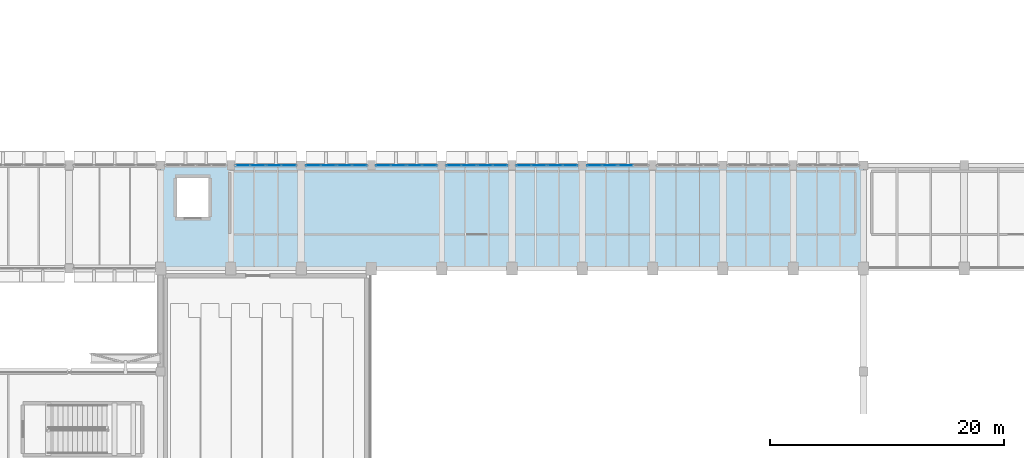
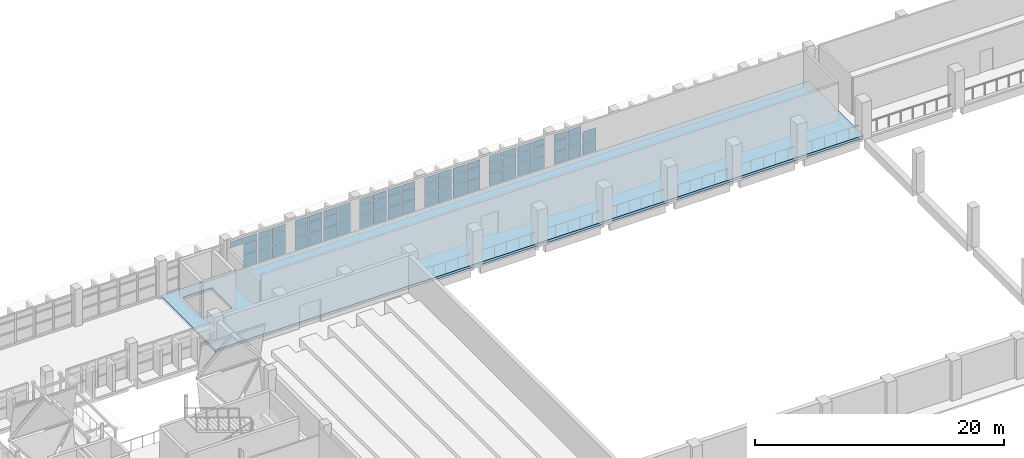
# One storey, part 53 of 80: 66 plates, 1 slab, 12 elements without a shape of their own.
"""IFC4 building model written with IfcOpenShell, lengths in metres."""

from ifc_helpers import new_model, si_unit, direction, frame, origin, origin_2d, place, context, subcontext, project, spatial, polyline, rectangle, outline, extrude, material, layer, layer_set, type_object, element, aggregate, save


model = new_model("IFC4")

# Units and contexts
model_context = context("Model", 3, precision=1e-05, world=origin(), true_north=direction((0.0, 1.0)))
body_context = subcontext(model_context, "Body", "Model", "MODEL_VIEW")
ifc_project = project(units=[si_unit("LENGTHUNIT", "METRE"), si_unit("AREAUNIT", "SQUARE_METRE"), si_unit("VOLUMEUNIT", "CUBIC_METRE"), si_unit("PLANEANGLEUNIT", "RADIAN"), si_unit("MASSUNIT", "GRAM", prefix="KILO")], contexts=[model_context])

# Site, building, storey
site_placement = place(None, origin())
site = spatial("IfcSite", under=ifc_project, at=site_placement, CompositionType="ELEMENT")
building_placement = place(site_placement, origin())
building = spatial("IfcBuilding", under=site, at=building_placement, Name="Varnakota Cinema and Media Centre", CompositionType="ELEMENT")
storey_placement = place(building_placement, frame((0.0, 0.0, 4.5)))
storey = spatial("IfcBuildingStorey", under=building, at=storey_placement, Name="L01", CompositionType="ELEMENT", Elevation=4.5)

# Curtain wall, plates
ifc_material_1 = material(Name="Thermally broken anodised aluminium AW-6063", Category="aluminium")
curtain_wall_type = type_object("IfcCurtainWallType", Name="CW-STD-262x304", PredefinedType="USERDEFINED", material=ifc_material_1)
curtain_wall_1_placement = place(storey_placement, origin())
curtain_wall_1 = element("IfcCurtainWall", 1, at=curtain_wall_1_placement, inside=storey, type_object=curtain_wall_type, Name="L01 curtain wall CW-L01-V1-N-02-1", ObjectType="UNITISED CURTAIN WALL", PredefinedType="USERDEFINED")
ifc_material_2 = material(Name="Laminated solar-control double glazing", Category="glass")
ifc_layer_1 = layer(ifc_material_2, 0.028076171875)
ifc_layer_set_1 = layer_set([ifc_layer_1], Name="Laminated solar-control double glazing")
plate_type = type_object("IfcPlateType", Name="CWP-DGU-28", PredefinedType="CURTAIN_PANEL", material=ifc_layer_set_1)
plate_1_placement = place(storey_placement, frame((82.0205078125, 44.0, 2.399658203125), z_axis=(0.0, 0.0, 1.0), x_axis=(1.0, 0.0, 0.0)))
plate_1 = element("IfcPlate", 2, at=plate_1_placement, type_object=plate_type, Name="CW17 panel 1.3", PredefinedType="CURTAIN_PANEL", context=body_context, shape_type="SweptSolid", body=[
    extrude(rectangle(XDim=1.211181640625, YDim=0.028076171875, at=origin_2d()), origin(), (0.0, 0.0, 1.0), 0.5703125),
])
plate_2_placement = place(storey_placement, frame((83.296875, 44.0, 0.06494140625), z_axis=(0.0, 0.0, 1.0), x_axis=(1.0, 0.0, 0.0)))
plate_2 = element("IfcPlate", 3, at=plate_2_placement, type_object=plate_type, Name="CW17 panel 2.1", PredefinedType="CURTAIN_PANEL", context=body_context, shape_type="SweptSolid", body=[
    extrude(rectangle(XDim=1.211181640625, YDim=0.028076171875, at=origin_2d()), origin(), (0.0, 0.0, 1.0), 1.17724609375),
])
plate_3_placement = place(storey_placement, frame((83.296875, 44.0, 1.30712890625), z_axis=(0.0, 0.0, 1.0), x_axis=(1.0, 0.0, 0.0)))
plate_3 = element("IfcPlate", 4, at=plate_3_placement, type_object=plate_type, Name="CW17 panel 2.2", PredefinedType="CURTAIN_PANEL", context=body_context, shape_type="SweptSolid", body=[
    extrude(rectangle(XDim=1.211181640625, YDim=0.028076171875, at=origin_2d()), origin(), (0.0, 0.0, 1.0), 1.027587890625),
])
plate_4_placement = place(storey_placement, frame((83.296875, 44.0, 2.399658203125), z_axis=(0.0, 0.0, 1.0), x_axis=(1.0, 0.0, 0.0)))
plate_4 = element("IfcPlate", 5, at=plate_4_placement, type_object=plate_type, Name="CW17 panel 2.3", PredefinedType="CURTAIN_PANEL", context=body_context, shape_type="SweptSolid", body=[
    extrude(rectangle(XDim=1.211181640625, YDim=0.028076171875, at=origin_2d()), origin(), (0.0, 0.0, 1.0), 0.5703125),
])
aggregate(curtain_wall_1, [plate_1, plate_2, plate_3, plate_4])

curtain_wall_2_placement = place(storey_placement, origin())
curtain_wall_2 = element("IfcCurtainWall", 6, at=curtain_wall_2_placement, inside=storey, type_object=curtain_wall_type, Name="L01 curtain wall CW-L01-V1-N-02-2", ObjectType="UNITISED CURTAIN WALL", PredefinedType="USERDEFINED")
plate_5_placement = place(storey_placement, frame((84.67822265625, 44.0, 0.06494140625), z_axis=(0.0, 0.0, 1.0), x_axis=(1.0, 0.0, 0.0)))
plate_5 = element("IfcPlate", 7, at=plate_5_placement, type_object=plate_type, Name="CW17 panel 1.1", PredefinedType="CURTAIN_PANEL", context=body_context, shape_type="SweptSolid", body=[
    extrude(rectangle(XDim=1.211181640625, YDim=0.028076171875, at=origin_2d()), origin(), (0.0, 0.0, 1.0), 1.17724609375),
])
plate_6_placement = place(storey_placement, frame((84.67822265625, 44.0, 1.30712890625), z_axis=(0.0, 0.0, 1.0), x_axis=(1.0, 0.0, 0.0)))
plate_6 = element("IfcPlate", 8, at=plate_6_placement, type_object=plate_type, Name="CW17 panel 1.2", PredefinedType="CURTAIN_PANEL", context=body_context, shape_type="SweptSolid", body=[
    extrude(rectangle(XDim=1.211181640625, YDim=0.028076171875, at=origin_2d()), origin(), (0.0, 0.0, 1.0), 1.027587890625),
])
plate_7_placement = place(storey_placement, frame((84.67822265625, 44.0, 2.399658203125), z_axis=(0.0, 0.0, 1.0), x_axis=(1.0, 0.0, 0.0)))
plate_7 = element("IfcPlate", 9, at=plate_7_placement, type_object=plate_type, Name="CW17 panel 1.3", PredefinedType="CURTAIN_PANEL", context=body_context, shape_type="SweptSolid", body=[
    extrude(rectangle(XDim=1.211181640625, YDim=0.028076171875, at=origin_2d()), origin(), (0.0, 0.0, 1.0), 0.5703125),
])
plate_8_placement = place(storey_placement, frame((85.954345703125, 44.0, 0.06494140625), z_axis=(0.0, 0.0, 1.0), x_axis=(1.0, 0.0, 0.0)))
plate_8 = element("IfcPlate", 10, at=plate_8_placement, type_object=plate_type, Name="CW17 panel 2.1", PredefinedType="CURTAIN_PANEL", context=body_context, shape_type="SweptSolid", body=[
    extrude(rectangle(XDim=1.211181640625, YDim=0.028076171875, at=origin_2d()), origin(), (0.0, 0.0, 1.0), 1.17724609375),
])
plate_9_placement = place(storey_placement, frame((85.954345703125, 44.0, 1.30712890625), z_axis=(0.0, 0.0, 1.0), x_axis=(1.0, 0.0, 0.0)))
plate_9 = element("IfcPlate", 11, at=plate_9_placement, type_object=plate_type, Name="CW17 panel 2.2", PredefinedType="CURTAIN_PANEL", context=body_context, shape_type="SweptSolid", body=[
    extrude(rectangle(XDim=1.211181640625, YDim=0.028076171875, at=origin_2d()), origin(), (0.0, 0.0, 1.0), 1.027587890625),
])
plate_10_placement = place(storey_placement, frame((85.954345703125, 44.0, 2.399658203125), z_axis=(0.0, 0.0, 1.0), x_axis=(1.0, 0.0, 0.0)))
plate_10 = element("IfcPlate", 12, at=plate_10_placement, type_object=plate_type, Name="CW17 panel 2.3", PredefinedType="CURTAIN_PANEL", context=body_context, shape_type="SweptSolid", body=[
    extrude(rectangle(XDim=1.211181640625, YDim=0.028076171875, at=origin_2d()), origin(), (0.0, 0.0, 1.0), 0.5703125),
])
aggregate(curtain_wall_2, [plate_5, plate_6, plate_7, plate_8, plate_9, plate_10])

curtain_wall_3_placement = place(storey_placement, origin())
curtain_wall_3 = element("IfcCurtainWall", 13, at=curtain_wall_3_placement, inside=storey, type_object=curtain_wall_type, Name="L01 curtain wall CW-L01-V1-N-03-1", ObjectType="UNITISED CURTAIN WALL", PredefinedType="USERDEFINED")
plate_11_placement = place(storey_placement, frame((88.045654296875, 44.0, 0.06494140625), z_axis=(0.0, 0.0, 1.0), x_axis=(1.0, 0.0, 0.0)))
plate_11 = element("IfcPlate", 14, at=plate_11_placement, type_object=plate_type, Name="CW17 panel 1.1", PredefinedType="CURTAIN_PANEL", context=body_context, shape_type="SweptSolid", body=[
    extrude(rectangle(XDim=1.211181640625, YDim=0.028076171875, at=origin_2d()), origin(), (0.0, 0.0, 1.0), 1.17724609375),
])
plate_12_placement = place(storey_placement, frame((88.045654296875, 44.0, 1.30712890625), z_axis=(0.0, 0.0, 1.0), x_axis=(1.0, 0.0, 0.0)))
plate_12 = element("IfcPlate", 15, at=plate_12_placement, type_object=plate_type, Name="CW17 panel 1.2", PredefinedType="CURTAIN_PANEL", context=body_context, shape_type="SweptSolid", body=[
    extrude(rectangle(XDim=1.211181640625, YDim=0.028076171875, at=origin_2d()), origin(), (0.0, 0.0, 1.0), 1.027587890625),
])
plate_13_placement = place(storey_placement, frame((88.045654296875, 44.0, 2.399658203125), z_axis=(0.0, 0.0, 1.0), x_axis=(1.0, 0.0, 0.0)))
plate_13 = element("IfcPlate", 16, at=plate_13_placement, type_object=plate_type, Name="CW17 panel 1.3", PredefinedType="CURTAIN_PANEL", context=body_context, shape_type="SweptSolid", body=[
    extrude(rectangle(XDim=1.211181640625, YDim=0.028076171875, at=origin_2d()), origin(), (0.0, 0.0, 1.0), 0.5703125),
])
plate_14_placement = place(storey_placement, frame((89.32177734375, 44.0, 0.06494140625), z_axis=(0.0, 0.0, 1.0), x_axis=(1.0, 0.0, 0.0)))
plate_14 = element("IfcPlate", 17, at=plate_14_placement, type_object=plate_type, Name="CW17 panel 2.1", PredefinedType="CURTAIN_PANEL", context=body_context, shape_type="SweptSolid", body=[
    extrude(rectangle(XDim=1.211181640625, YDim=0.028076171875, at=origin_2d()), origin(), (0.0, 0.0, 1.0), 1.17724609375),
])
plate_15_placement = place(storey_placement, frame((89.32177734375, 44.0, 1.30712890625), z_axis=(0.0, 0.0, 1.0), x_axis=(1.0, 0.0, 0.0)))
plate_15 = element("IfcPlate", 18, at=plate_15_placement, type_object=plate_type, Name="CW17 panel 2.2", PredefinedType="CURTAIN_PANEL", context=body_context, shape_type="SweptSolid", body=[
    extrude(rectangle(XDim=1.211181640625, YDim=0.028076171875, at=origin_2d()), origin(), (0.0, 0.0, 1.0), 1.027587890625),
])
plate_16_placement = place(storey_placement, frame((89.32177734375, 44.0, 2.399658203125), z_axis=(0.0, 0.0, 1.0), x_axis=(1.0, 0.0, 0.0)))
plate_16 = element("IfcPlate", 19, at=plate_16_placement, type_object=plate_type, Name="CW17 panel 2.3", PredefinedType="CURTAIN_PANEL", context=body_context, shape_type="SweptSolid", body=[
    extrude(rectangle(XDim=1.211181640625, YDim=0.028076171875, at=origin_2d()), origin(), (0.0, 0.0, 1.0), 0.5703125),
])
aggregate(curtain_wall_3, [plate_11, plate_12, plate_13, plate_14, plate_15, plate_16])

curtain_wall_4_placement = place(storey_placement, origin())
curtain_wall_4 = element("IfcCurtainWall", 20, at=curtain_wall_4_placement, inside=storey, type_object=curtain_wall_type, Name="L01 curtain wall CW-L01-V1-N-03-2", ObjectType="UNITISED CURTAIN WALL", PredefinedType="USERDEFINED")
plate_17_placement = place(storey_placement, frame((90.703125, 44.0, 0.06494140625), z_axis=(0.0, 0.0, 1.0), x_axis=(1.0, 0.0, 0.0)))
plate_17 = element("IfcPlate", 21, at=plate_17_placement, type_object=plate_type, Name="CW17 panel 1.1", PredefinedType="CURTAIN_PANEL", context=body_context, shape_type="SweptSolid", body=[
    extrude(rectangle(XDim=1.211181640625, YDim=0.028076171875, at=origin_2d()), origin(), (0.0, 0.0, 1.0), 1.17724609375),
])
plate_18_placement = place(storey_placement, frame((90.703125, 44.0, 1.30712890625), z_axis=(0.0, 0.0, 1.0), x_axis=(1.0, 0.0, 0.0)))
plate_18 = element("IfcPlate", 22, at=plate_18_placement, type_object=plate_type, Name="CW17 panel 1.2", PredefinedType="CURTAIN_PANEL", context=body_context, shape_type="SweptSolid", body=[
    extrude(rectangle(XDim=1.211181640625, YDim=0.028076171875, at=origin_2d()), origin(), (0.0, 0.0, 1.0), 1.027587890625),
])
plate_19_placement = place(storey_placement, frame((90.703125, 44.0, 2.399658203125), z_axis=(0.0, 0.0, 1.0), x_axis=(1.0, 0.0, 0.0)))
plate_19 = element("IfcPlate", 23, at=plate_19_placement, type_object=plate_type, Name="CW17 panel 1.3", PredefinedType="CURTAIN_PANEL", context=body_context, shape_type="SweptSolid", body=[
    extrude(rectangle(XDim=1.211181640625, YDim=0.028076171875, at=origin_2d()), origin(), (0.0, 0.0, 1.0), 0.5703125),
])
plate_20_placement = place(storey_placement, frame((91.9794921875, 44.0, 0.06494140625), z_axis=(0.0, 0.0, 1.0), x_axis=(1.0, 0.0, 0.0)))
plate_20 = element("IfcPlate", 24, at=plate_20_placement, type_object=plate_type, Name="CW17 panel 2.1", PredefinedType="CURTAIN_PANEL", context=body_context, shape_type="SweptSolid", body=[
    extrude(rectangle(XDim=1.211181640625, YDim=0.028076171875, at=origin_2d()), origin(), (0.0, 0.0, 1.0), 1.17724609375),
])
plate_21_placement = place(storey_placement, frame((91.9794921875, 44.0, 1.30712890625), z_axis=(0.0, 0.0, 1.0), x_axis=(1.0, 0.0, 0.0)))
plate_21 = element("IfcPlate", 25, at=plate_21_placement, type_object=plate_type, Name="CW17 panel 2.2", PredefinedType="CURTAIN_PANEL", context=body_context, shape_type="SweptSolid", body=[
    extrude(rectangle(XDim=1.211181640625, YDim=0.028076171875, at=origin_2d()), origin(), (0.0, 0.0, 1.0), 1.027587890625),
])
plate_22_placement = place(storey_placement, frame((91.9794921875, 44.0, 2.399658203125), z_axis=(0.0, 0.0, 1.0), x_axis=(1.0, 0.0, 0.0)))
plate_22 = element("IfcPlate", 26, at=plate_22_placement, type_object=plate_type, Name="CW17 panel 2.3", PredefinedType="CURTAIN_PANEL", context=body_context, shape_type="SweptSolid", body=[
    extrude(rectangle(XDim=1.211181640625, YDim=0.028076171875, at=origin_2d()), origin(), (0.0, 0.0, 1.0), 0.5703125),
])
aggregate(curtain_wall_4, [plate_17, plate_18, plate_19, plate_20, plate_21, plate_22])

curtain_wall_5_placement = place(storey_placement, origin())
curtain_wall_5 = element("IfcCurtainWall", 27, at=curtain_wall_5_placement, inside=storey, type_object=curtain_wall_type, Name="L01 curtain wall CW-L01-V1-N-04-1", ObjectType="UNITISED CURTAIN WALL", PredefinedType="USERDEFINED")
plate_23_placement = place(storey_placement, frame((94.0205078125, 44.0, 0.06494140625), z_axis=(0.0, 0.0, 1.0), x_axis=(1.0, 0.0, 0.0)))
plate_23 = element("IfcPlate", 28, at=plate_23_placement, type_object=plate_type, Name="CW17 panel 1.1", PredefinedType="CURTAIN_PANEL", context=body_context, shape_type="SweptSolid", body=[
    extrude(rectangle(XDim=1.211181640625, YDim=0.028076171875, at=origin_2d()), origin(), (0.0, 0.0, 1.0), 1.17724609375),
])
plate_24_placement = place(storey_placement, frame((94.0205078125, 44.0, 1.30712890625), z_axis=(0.0, 0.0, 1.0), x_axis=(1.0, 0.0, 0.0)))
plate_24 = element("IfcPlate", 29, at=plate_24_placement, type_object=plate_type, Name="CW17 panel 1.2", PredefinedType="CURTAIN_PANEL", context=body_context, shape_type="SweptSolid", body=[
    extrude(rectangle(XDim=1.211181640625, YDim=0.028076171875, at=origin_2d()), origin(), (0.0, 0.0, 1.0), 1.027587890625),
])
plate_25_placement = place(storey_placement, frame((94.0205078125, 44.0, 2.399658203125), z_axis=(0.0, 0.0, 1.0), x_axis=(1.0, 0.0, 0.0)))
plate_25 = element("IfcPlate", 30, at=plate_25_placement, type_object=plate_type, Name="CW17 panel 1.3", PredefinedType="CURTAIN_PANEL", context=body_context, shape_type="SweptSolid", body=[
    extrude(rectangle(XDim=1.211181640625, YDim=0.028076171875, at=origin_2d()), origin(), (0.0, 0.0, 1.0), 0.5703125),
])
plate_26_placement = place(storey_placement, frame((95.296875, 44.0, 0.06494140625), z_axis=(0.0, 0.0, 1.0), x_axis=(1.0, 0.0, 0.0)))
plate_26 = element("IfcPlate", 31, at=plate_26_placement, type_object=plate_type, Name="CW17 panel 2.1", PredefinedType="CURTAIN_PANEL", context=body_context, shape_type="SweptSolid", body=[
    extrude(rectangle(XDim=1.211181640625, YDim=0.028076171875, at=origin_2d()), origin(), (0.0, 0.0, 1.0), 1.17724609375),
])
plate_27_placement = place(storey_placement, frame((95.296875, 44.0, 1.30712890625), z_axis=(0.0, 0.0, 1.0), x_axis=(1.0, 0.0, 0.0)))
plate_27 = element("IfcPlate", 32, at=plate_27_placement, type_object=plate_type, Name="CW17 panel 2.2", PredefinedType="CURTAIN_PANEL", context=body_context, shape_type="SweptSolid", body=[
    extrude(rectangle(XDim=1.211181640625, YDim=0.028076171875, at=origin_2d()), origin(), (0.0, 0.0, 1.0), 1.027587890625),
])
plate_28_placement = place(storey_placement, frame((95.296875, 44.0, 2.399658203125), z_axis=(0.0, 0.0, 1.0), x_axis=(1.0, 0.0, 0.0)))
plate_28 = element("IfcPlate", 33, at=plate_28_placement, type_object=plate_type, Name="CW17 panel 2.3", PredefinedType="CURTAIN_PANEL", context=body_context, shape_type="SweptSolid", body=[
    extrude(rectangle(XDim=1.211181640625, YDim=0.028076171875, at=origin_2d()), origin(), (0.0, 0.0, 1.0), 0.5703125),
])
aggregate(curtain_wall_5, [plate_23, plate_24, plate_25, plate_26, plate_27, plate_28])

curtain_wall_6_placement = place(storey_placement, origin())
curtain_wall_6 = element("IfcCurtainWall", 34, at=curtain_wall_6_placement, inside=storey, type_object=curtain_wall_type, Name="L01 curtain wall CW-L01-V1-N-04-2", ObjectType="UNITISED CURTAIN WALL", PredefinedType="USERDEFINED")
plate_29_placement = place(storey_placement, frame((96.67822265625, 44.0, 0.06494140625), z_axis=(0.0, 0.0, 1.0), x_axis=(1.0, 0.0, 0.0)))
plate_29 = element("IfcPlate", 35, at=plate_29_placement, type_object=plate_type, Name="CW17 panel 1.1", PredefinedType="CURTAIN_PANEL", context=body_context, shape_type="SweptSolid", body=[
    extrude(rectangle(XDim=1.211181640625, YDim=0.028076171875, at=origin_2d()), origin(), (0.0, 0.0, 1.0), 1.17724609375),
])
plate_30_placement = place(storey_placement, frame((96.67822265625, 44.0, 1.30712890625), z_axis=(0.0, 0.0, 1.0), x_axis=(1.0, 0.0, 0.0)))
plate_30 = element("IfcPlate", 36, at=plate_30_placement, type_object=plate_type, Name="CW17 panel 1.2", PredefinedType="CURTAIN_PANEL", context=body_context, shape_type="SweptSolid", body=[
    extrude(rectangle(XDim=1.211181640625, YDim=0.028076171875, at=origin_2d()), origin(), (0.0, 0.0, 1.0), 1.027587890625),
])
plate_31_placement = place(storey_placement, frame((96.67822265625, 44.0, 2.399658203125), z_axis=(0.0, 0.0, 1.0), x_axis=(1.0, 0.0, 0.0)))
plate_31 = element("IfcPlate", 37, at=plate_31_placement, type_object=plate_type, Name="CW17 panel 1.3", PredefinedType="CURTAIN_PANEL", context=body_context, shape_type="SweptSolid", body=[
    extrude(rectangle(XDim=1.211181640625, YDim=0.028076171875, at=origin_2d()), origin(), (0.0, 0.0, 1.0), 0.5703125),
])
plate_32_placement = place(storey_placement, frame((97.954345703125, 44.0, 0.06494140625), z_axis=(0.0, 0.0, 1.0), x_axis=(1.0, 0.0, 0.0)))
plate_32 = element("IfcPlate", 38, at=plate_32_placement, type_object=plate_type, Name="CW17 panel 2.1", PredefinedType="CURTAIN_PANEL", context=body_context, shape_type="SweptSolid", body=[
    extrude(rectangle(XDim=1.211181640625, YDim=0.028076171875, at=origin_2d()), origin(), (0.0, 0.0, 1.0), 1.17724609375),
])
plate_33_placement = place(storey_placement, frame((97.954345703125, 44.0, 1.30712890625), z_axis=(0.0, 0.0, 1.0), x_axis=(1.0, 0.0, 0.0)))
plate_33 = element("IfcPlate", 39, at=plate_33_placement, type_object=plate_type, Name="CW17 panel 2.2", PredefinedType="CURTAIN_PANEL", context=body_context, shape_type="SweptSolid", body=[
    extrude(rectangle(XDim=1.211181640625, YDim=0.028076171875, at=origin_2d()), origin(), (0.0, 0.0, 1.0), 1.027587890625),
])
plate_34_placement = place(storey_placement, frame((97.954345703125, 44.0, 2.399658203125), z_axis=(0.0, 0.0, 1.0), x_axis=(1.0, 0.0, 0.0)))
plate_34 = element("IfcPlate", 40, at=plate_34_placement, type_object=plate_type, Name="CW17 panel 2.3", PredefinedType="CURTAIN_PANEL", context=body_context, shape_type="SweptSolid", body=[
    extrude(rectangle(XDim=1.211181640625, YDim=0.028076171875, at=origin_2d()), origin(), (0.0, 0.0, 1.0), 0.5703125),
])
aggregate(curtain_wall_6, [plate_29, plate_30, plate_31, plate_32, plate_33, plate_34])

curtain_wall_7_placement = place(storey_placement, origin())
curtain_wall_7 = element("IfcCurtainWall", 41, at=curtain_wall_7_placement, inside=storey, type_object=curtain_wall_type, Name="L01 curtain wall CW-L01-V1-N-05-1", ObjectType="UNITISED CURTAIN WALL", PredefinedType="USERDEFINED")
plate_35_placement = place(storey_placement, frame((100.045654296875, 44.0, 0.06494140625), z_axis=(0.0, 0.0, 1.0), x_axis=(1.0, 0.0, 0.0)))
plate_35 = element("IfcPlate", 42, at=plate_35_placement, type_object=plate_type, Name="CW17 panel 1.1", PredefinedType="CURTAIN_PANEL", context=body_context, shape_type="SweptSolid", body=[
    extrude(rectangle(XDim=1.211181640625, YDim=0.028076171875, at=origin_2d()), origin(), (0.0, 0.0, 1.0), 1.17724609375),
])
plate_36_placement = place(storey_placement, frame((100.045654296875, 44.0, 1.30712890625), z_axis=(0.0, 0.0, 1.0), x_axis=(1.0, 0.0, 0.0)))
plate_36 = element("IfcPlate", 43, at=plate_36_placement, type_object=plate_type, Name="CW17 panel 1.2", PredefinedType="CURTAIN_PANEL", context=body_context, shape_type="SweptSolid", body=[
    extrude(rectangle(XDim=1.211181640625, YDim=0.028076171875, at=origin_2d()), origin(), (0.0, 0.0, 1.0), 1.027587890625),
])
plate_37_placement = place(storey_placement, frame((100.045654296875, 44.0, 2.399658203125), z_axis=(0.0, 0.0, 1.0), x_axis=(1.0, 0.0, 0.0)))
plate_37 = element("IfcPlate", 44, at=plate_37_placement, type_object=plate_type, Name="CW17 panel 1.3", PredefinedType="CURTAIN_PANEL", context=body_context, shape_type="SweptSolid", body=[
    extrude(rectangle(XDim=1.211181640625, YDim=0.028076171875, at=origin_2d()), origin(), (0.0, 0.0, 1.0), 0.5703125),
])
plate_38_placement = place(storey_placement, frame((101.32177734375, 44.0, 0.06494140625), z_axis=(0.0, 0.0, 1.0), x_axis=(1.0, 0.0, 0.0)))
plate_38 = element("IfcPlate", 45, at=plate_38_placement, type_object=plate_type, Name="CW17 panel 2.1", PredefinedType="CURTAIN_PANEL", context=body_context, shape_type="SweptSolid", body=[
    extrude(rectangle(XDim=1.211181640625, YDim=0.028076171875, at=origin_2d()), origin(), (0.0, 0.0, 1.0), 1.17724609375),
])
plate_39_placement = place(storey_placement, frame((101.32177734375, 44.0, 1.30712890625), z_axis=(0.0, 0.0, 1.0), x_axis=(1.0, 0.0, 0.0)))
plate_39 = element("IfcPlate", 46, at=plate_39_placement, type_object=plate_type, Name="CW17 panel 2.2", PredefinedType="CURTAIN_PANEL", context=body_context, shape_type="SweptSolid", body=[
    extrude(rectangle(XDim=1.211181640625, YDim=0.028076171875, at=origin_2d()), origin(), (0.0, 0.0, 1.0), 1.027587890625),
])
plate_40_placement = place(storey_placement, frame((101.32177734375, 44.0, 2.399658203125), z_axis=(0.0, 0.0, 1.0), x_axis=(1.0, 0.0, 0.0)))
plate_40 = element("IfcPlate", 47, at=plate_40_placement, type_object=plate_type, Name="CW17 panel 2.3", PredefinedType="CURTAIN_PANEL", context=body_context, shape_type="SweptSolid", body=[
    extrude(rectangle(XDim=1.211181640625, YDim=0.028076171875, at=origin_2d()), origin(), (0.0, 0.0, 1.0), 0.5703125),
])
aggregate(curtain_wall_7, [plate_35, plate_36, plate_37, plate_38, plate_39, plate_40])

curtain_wall_8_placement = place(storey_placement, origin())
curtain_wall_8 = element("IfcCurtainWall", 48, at=curtain_wall_8_placement, inside=storey, type_object=curtain_wall_type, Name="L01 curtain wall CW-L01-V1-N-05-2", ObjectType="UNITISED CURTAIN WALL", PredefinedType="USERDEFINED")
plate_41_placement = place(storey_placement, frame((102.703125, 44.0, 0.06494140625), z_axis=(0.0, 0.0, 1.0), x_axis=(1.0, 0.0, 0.0)))
plate_41 = element("IfcPlate", 49, at=plate_41_placement, type_object=plate_type, Name="CW17 panel 1.1", PredefinedType="CURTAIN_PANEL", context=body_context, shape_type="SweptSolid", body=[
    extrude(rectangle(XDim=1.211181640625, YDim=0.028076171875, at=origin_2d()), origin(), (0.0, 0.0, 1.0), 1.17724609375),
])
plate_42_placement = place(storey_placement, frame((102.703125, 44.0, 1.30712890625), z_axis=(0.0, 0.0, 1.0), x_axis=(1.0, 0.0, 0.0)))
plate_42 = element("IfcPlate", 50, at=plate_42_placement, type_object=plate_type, Name="CW17 panel 1.2", PredefinedType="CURTAIN_PANEL", context=body_context, shape_type="SweptSolid", body=[
    extrude(rectangle(XDim=1.211181640625, YDim=0.028076171875, at=origin_2d()), origin(), (0.0, 0.0, 1.0), 1.027587890625),
])
plate_43_placement = place(storey_placement, frame((102.703125, 44.0, 2.399658203125), z_axis=(0.0, 0.0, 1.0), x_axis=(1.0, 0.0, 0.0)))
plate_43 = element("IfcPlate", 51, at=plate_43_placement, type_object=plate_type, Name="CW17 panel 1.3", PredefinedType="CURTAIN_PANEL", context=body_context, shape_type="SweptSolid", body=[
    extrude(rectangle(XDim=1.211181640625, YDim=0.028076171875, at=origin_2d()), origin(), (0.0, 0.0, 1.0), 0.5703125),
])
plate_44_placement = place(storey_placement, frame((103.9794921875, 44.0, 0.06494140625), z_axis=(0.0, 0.0, 1.0), x_axis=(1.0, 0.0, 0.0)))
plate_44 = element("IfcPlate", 52, at=plate_44_placement, type_object=plate_type, Name="CW17 panel 2.1", PredefinedType="CURTAIN_PANEL", context=body_context, shape_type="SweptSolid", body=[
    extrude(rectangle(XDim=1.211181640625, YDim=0.028076171875, at=origin_2d()), origin(), (0.0, 0.0, 1.0), 1.17724609375),
])
plate_45_placement = place(storey_placement, frame((103.9794921875, 44.0, 1.30712890625), z_axis=(0.0, 0.0, 1.0), x_axis=(1.0, 0.0, 0.0)))
plate_45 = element("IfcPlate", 53, at=plate_45_placement, type_object=plate_type, Name="CW17 panel 2.2", PredefinedType="CURTAIN_PANEL", context=body_context, shape_type="SweptSolid", body=[
    extrude(rectangle(XDim=1.211181640625, YDim=0.028076171875, at=origin_2d()), origin(), (0.0, 0.0, 1.0), 1.027587890625),
])
plate_46_placement = place(storey_placement, frame((103.9794921875, 44.0, 2.399658203125), z_axis=(0.0, 0.0, 1.0), x_axis=(1.0, 0.0, 0.0)))
plate_46 = element("IfcPlate", 54, at=plate_46_placement, type_object=plate_type, Name="CW17 panel 2.3", PredefinedType="CURTAIN_PANEL", context=body_context, shape_type="SweptSolid", body=[
    extrude(rectangle(XDim=1.211181640625, YDim=0.028076171875, at=origin_2d()), origin(), (0.0, 0.0, 1.0), 0.5703125),
])
aggregate(curtain_wall_8, [plate_41, plate_42, plate_43, plate_44, plate_45, plate_46])

curtain_wall_9_placement = place(storey_placement, origin())
curtain_wall_9 = element("IfcCurtainWall", 55, at=curtain_wall_9_placement, inside=storey, type_object=curtain_wall_type, Name="L01 curtain wall CW-L01-V1-N-06-1", ObjectType="UNITISED CURTAIN WALL", PredefinedType="USERDEFINED")
plate_47_placement = place(storey_placement, frame((106.0205078125, 44.0, 0.06494140625), z_axis=(0.0, 0.0, 1.0), x_axis=(1.0, 0.0, 0.0)))
plate_47 = element("IfcPlate", 56, at=plate_47_placement, type_object=plate_type, Name="CW17 panel 1.1", PredefinedType="CURTAIN_PANEL", context=body_context, shape_type="SweptSolid", body=[
    extrude(rectangle(XDim=1.211181640625, YDim=0.028076171875, at=origin_2d()), origin(), (0.0, 0.0, 1.0), 1.17724609375),
])
plate_48_placement = place(storey_placement, frame((106.0205078125, 44.0, 1.30712890625), z_axis=(0.0, 0.0, 1.0), x_axis=(1.0, 0.0, 0.0)))
plate_48 = element("IfcPlate", 57, at=plate_48_placement, type_object=plate_type, Name="CW17 panel 1.2", PredefinedType="CURTAIN_PANEL", context=body_context, shape_type="SweptSolid", body=[
    extrude(rectangle(XDim=1.211181640625, YDim=0.028076171875, at=origin_2d()), origin(), (0.0, 0.0, 1.0), 1.027587890625),
])
plate_49_placement = place(storey_placement, frame((106.0205078125, 44.0, 2.399658203125), z_axis=(0.0, 0.0, 1.0), x_axis=(1.0, 0.0, 0.0)))
plate_49 = element("IfcPlate", 58, at=plate_49_placement, type_object=plate_type, Name="CW17 panel 1.3", PredefinedType="CURTAIN_PANEL", context=body_context, shape_type="SweptSolid", body=[
    extrude(rectangle(XDim=1.211181640625, YDim=0.028076171875, at=origin_2d()), origin(), (0.0, 0.0, 1.0), 0.5703125),
])
plate_50_placement = place(storey_placement, frame((107.296875, 44.0, 0.06494140625), z_axis=(0.0, 0.0, 1.0), x_axis=(1.0, 0.0, 0.0)))
plate_50 = element("IfcPlate", 59, at=plate_50_placement, type_object=plate_type, Name="CW17 panel 2.1", PredefinedType="CURTAIN_PANEL", context=body_context, shape_type="SweptSolid", body=[
    extrude(rectangle(XDim=1.211181640625, YDim=0.028076171875, at=origin_2d()), origin(), (0.0, 0.0, 1.0), 1.17724609375),
])
plate_51_placement = place(storey_placement, frame((107.296875, 44.0, 1.30712890625), z_axis=(0.0, 0.0, 1.0), x_axis=(1.0, 0.0, 0.0)))
plate_51 = element("IfcPlate", 60, at=plate_51_placement, type_object=plate_type, Name="CW17 panel 2.2", PredefinedType="CURTAIN_PANEL", context=body_context, shape_type="SweptSolid", body=[
    extrude(rectangle(XDim=1.211181640625, YDim=0.028076171875, at=origin_2d()), origin(), (0.0, 0.0, 1.0), 1.027587890625),
])
plate_52_placement = place(storey_placement, frame((107.296875, 44.0, 2.399658203125), z_axis=(0.0, 0.0, 1.0), x_axis=(1.0, 0.0, 0.0)))
plate_52 = element("IfcPlate", 61, at=plate_52_placement, type_object=plate_type, Name="CW17 panel 2.3", PredefinedType="CURTAIN_PANEL", context=body_context, shape_type="SweptSolid", body=[
    extrude(rectangle(XDim=1.211181640625, YDim=0.028076171875, at=origin_2d()), origin(), (0.0, 0.0, 1.0), 0.5703125),
])
aggregate(curtain_wall_9, [plate_47, plate_48, plate_49, plate_50, plate_51, plate_52])

curtain_wall_10_placement = place(storey_placement, origin())
curtain_wall_10 = element("IfcCurtainWall", 62, at=curtain_wall_10_placement, inside=storey, type_object=curtain_wall_type, Name="L01 curtain wall CW-L01-V1-N-06-2", ObjectType="UNITISED CURTAIN WALL", PredefinedType="USERDEFINED")
plate_53_placement = place(storey_placement, frame((108.67822265625, 44.0, 0.06494140625), z_axis=(0.0, 0.0, 1.0), x_axis=(1.0, 0.0, 0.0)))
plate_53 = element("IfcPlate", 63, at=plate_53_placement, type_object=plate_type, Name="CW17 panel 1.1", PredefinedType="CURTAIN_PANEL", context=body_context, shape_type="SweptSolid", body=[
    extrude(rectangle(XDim=1.211181640625, YDim=0.028076171875, at=origin_2d()), origin(), (0.0, 0.0, 1.0), 1.17724609375),
])
plate_54_placement = place(storey_placement, frame((108.67822265625, 44.0, 1.30712890625), z_axis=(0.0, 0.0, 1.0), x_axis=(1.0, 0.0, 0.0)))
plate_54 = element("IfcPlate", 64, at=plate_54_placement, type_object=plate_type, Name="CW17 panel 1.2", PredefinedType="CURTAIN_PANEL", context=body_context, shape_type="SweptSolid", body=[
    extrude(rectangle(XDim=1.211181640625, YDim=0.028076171875, at=origin_2d()), origin(), (0.0, 0.0, 1.0), 1.027587890625),
])
plate_55_placement = place(storey_placement, frame((108.67822265625, 44.0, 2.399658203125), z_axis=(0.0, 0.0, 1.0), x_axis=(1.0, 0.0, 0.0)))
plate_55 = element("IfcPlate", 65, at=plate_55_placement, type_object=plate_type, Name="CW17 panel 1.3", PredefinedType="CURTAIN_PANEL", context=body_context, shape_type="SweptSolid", body=[
    extrude(rectangle(XDim=1.211181640625, YDim=0.028076171875, at=origin_2d()), origin(), (0.0, 0.0, 1.0), 0.5703125),
])
plate_56_placement = place(storey_placement, frame((109.954345703125, 44.0, 0.06494140625), z_axis=(0.0, 0.0, 1.0), x_axis=(1.0, 0.0, 0.0)))
plate_56 = element("IfcPlate", 66, at=plate_56_placement, type_object=plate_type, Name="CW17 panel 2.1", PredefinedType="CURTAIN_PANEL", context=body_context, shape_type="SweptSolid", body=[
    extrude(rectangle(XDim=1.211181640625, YDim=0.028076171875, at=origin_2d()), origin(), (0.0, 0.0, 1.0), 1.17724609375),
])
plate_57_placement = place(storey_placement, frame((109.954345703125, 44.0, 1.30712890625), z_axis=(0.0, 0.0, 1.0), x_axis=(1.0, 0.0, 0.0)))
plate_57 = element("IfcPlate", 67, at=plate_57_placement, type_object=plate_type, Name="CW17 panel 2.2", PredefinedType="CURTAIN_PANEL", context=body_context, shape_type="SweptSolid", body=[
    extrude(rectangle(XDim=1.211181640625, YDim=0.028076171875, at=origin_2d()), origin(), (0.0, 0.0, 1.0), 1.027587890625),
])
plate_58_placement = place(storey_placement, frame((109.954345703125, 44.0, 2.399658203125), z_axis=(0.0, 0.0, 1.0), x_axis=(1.0, 0.0, 0.0)))
plate_58 = element("IfcPlate", 68, at=plate_58_placement, type_object=plate_type, Name="CW17 panel 2.3", PredefinedType="CURTAIN_PANEL", context=body_context, shape_type="SweptSolid", body=[
    extrude(rectangle(XDim=1.211181640625, YDim=0.028076171875, at=origin_2d()), origin(), (0.0, 0.0, 1.0), 0.5703125),
])
aggregate(curtain_wall_10, [plate_53, plate_54, plate_55, plate_56, plate_57, plate_58])

curtain_wall_11_placement = place(storey_placement, origin())
curtain_wall_11 = element("IfcCurtainWall", 69, at=curtain_wall_11_placement, inside=storey, type_object=curtain_wall_type, Name="L01 curtain wall CW-L01-V1-N-07-1", ObjectType="UNITISED CURTAIN WALL", PredefinedType="USERDEFINED")
plate_59_placement = place(storey_placement, frame((112.045654296875, 44.0, 0.06494140625), z_axis=(0.0, 0.0, 1.0), x_axis=(1.0, 0.0, 0.0)))
plate_59 = element("IfcPlate", 70, at=plate_59_placement, type_object=plate_type, Name="CW17 panel 1.1", PredefinedType="CURTAIN_PANEL", context=body_context, shape_type="SweptSolid", body=[
    extrude(rectangle(XDim=1.211181640625, YDim=0.028076171875, at=origin_2d()), origin(), (0.0, 0.0, 1.0), 1.17724609375),
])
plate_60_placement = place(storey_placement, frame((112.045654296875, 44.0, 1.30712890625), z_axis=(0.0, 0.0, 1.0), x_axis=(1.0, 0.0, 0.0)))
plate_60 = element("IfcPlate", 71, at=plate_60_placement, type_object=plate_type, Name="CW17 panel 1.2", PredefinedType="CURTAIN_PANEL", context=body_context, shape_type="SweptSolid", body=[
    extrude(rectangle(XDim=1.211181640625, YDim=0.028076171875, at=origin_2d()), origin(), (0.0, 0.0, 1.0), 1.027587890625),
])
plate_61_placement = place(storey_placement, frame((112.045654296875, 44.0, 2.399658203125), z_axis=(0.0, 0.0, 1.0), x_axis=(1.0, 0.0, 0.0)))
plate_61 = element("IfcPlate", 72, at=plate_61_placement, type_object=plate_type, Name="CW17 panel 1.3", PredefinedType="CURTAIN_PANEL", context=body_context, shape_type="SweptSolid", body=[
    extrude(rectangle(XDim=1.211181640625, YDim=0.028076171875, at=origin_2d()), origin(), (0.0, 0.0, 1.0), 0.5703125),
])
plate_62_placement = place(storey_placement, frame((113.32177734375, 44.0, 0.06494140625), z_axis=(0.0, 0.0, 1.0), x_axis=(1.0, 0.0, 0.0)))
plate_62 = element("IfcPlate", 73, at=plate_62_placement, type_object=plate_type, Name="CW17 panel 2.1", PredefinedType="CURTAIN_PANEL", context=body_context, shape_type="SweptSolid", body=[
    extrude(rectangle(XDim=1.211181640625, YDim=0.028076171875, at=origin_2d()), origin(), (0.0, 0.0, 1.0), 1.17724609375),
])
plate_63_placement = place(storey_placement, frame((113.32177734375, 44.0, 1.30712890625), z_axis=(0.0, 0.0, 1.0), x_axis=(1.0, 0.0, 0.0)))
plate_63 = element("IfcPlate", 74, at=plate_63_placement, type_object=plate_type, Name="CW17 panel 2.2", PredefinedType="CURTAIN_PANEL", context=body_context, shape_type="SweptSolid", body=[
    extrude(rectangle(XDim=1.211181640625, YDim=0.028076171875, at=origin_2d()), origin(), (0.0, 0.0, 1.0), 1.027587890625),
])
plate_64_placement = place(storey_placement, frame((113.32177734375, 44.0, 2.399658203125), z_axis=(0.0, 0.0, 1.0), x_axis=(1.0, 0.0, 0.0)))
plate_64 = element("IfcPlate", 75, at=plate_64_placement, type_object=plate_type, Name="CW17 panel 2.3", PredefinedType="CURTAIN_PANEL", context=body_context, shape_type="SweptSolid", body=[
    extrude(rectangle(XDim=1.211181640625, YDim=0.028076171875, at=origin_2d()), origin(), (0.0, 0.0, 1.0), 0.5703125),
])
aggregate(curtain_wall_11, [plate_59, plate_60, plate_61, plate_62, plate_63, plate_64])

curtain_wall_12_placement = place(storey_placement, origin())
curtain_wall_12 = element("IfcCurtainWall", 76, at=curtain_wall_12_placement, inside=storey, type_object=curtain_wall_type, Name="L01 curtain wall CW-L01-V1-N-07-2", ObjectType="UNITISED CURTAIN WALL", PredefinedType="USERDEFINED")
plate_65_placement = place(storey_placement, frame((114.703125, 44.0, 0.06494140625), z_axis=(0.0, 0.0, 1.0), x_axis=(1.0, 0.0, 0.0)))
plate_65 = element("IfcPlate", 77, at=plate_65_placement, type_object=plate_type, Name="CW17 panel 1.1", PredefinedType="CURTAIN_PANEL", context=body_context, shape_type="SweptSolid", body=[
    extrude(rectangle(XDim=1.211181640625, YDim=0.028076171875, at=origin_2d()), origin(), (0.0, 0.0, 1.0), 1.17724609375),
])
plate_66_placement = place(storey_placement, frame((114.703125, 44.0, 1.30712890625), z_axis=(0.0, 0.0, 1.0), x_axis=(1.0, 0.0, 0.0)))
plate_66 = element("IfcPlate", 78, at=plate_66_placement, type_object=plate_type, Name="CW17 panel 1.2", PredefinedType="CURTAIN_PANEL", context=body_context, shape_type="SweptSolid", body=[
    extrude(rectangle(XDim=1.211181640625, YDim=0.028076171875, at=origin_2d()), origin(), (0.0, 0.0, 1.0), 1.027587890625),
])
aggregate(curtain_wall_12, [plate_65, plate_66])

# Slab
ifc_material_3 = material(Name="Concrete M35", Category="concrete")
ifc_layer_2 = layer(ifc_material_3, 0.25)
ifc_layer_set_2 = layer_set([ifc_layer_2], Name="Concrete M35")
slab_type = type_object("IfcSlabType", Name="SLB-FLR-250", PredefinedType="FLOOR", material=ifc_layer_set_2)
slab_placement = place(storey_placement, frame((0.0, 0.0, -0.25)))
element("IfcSlab", 79, at=slab_placement, inside=storey, type_object=slab_type, Name="L01 V1-CONC floor slab", PredefinedType="FLOOR", context=body_context, shape_type="SweptSolid", body=[
    extrude(outline(polyline([(75.0, 35.199951171875), (135.0, 35.199951171875), (135.0, 44.0), (75.0, 44.0), (75.0, 35.199951171875)]), holes=[polyline([(76.39990234375, 39.60009765625), (79.10009765625, 39.60009765625), (79.10009765625, 42.89990234375), (76.39990234375, 42.89990234375), (76.39990234375, 39.60009765625)])]), origin(), (0.0, 0.0, 1.0), 0.25),
])

save(model, "model.ifc")
